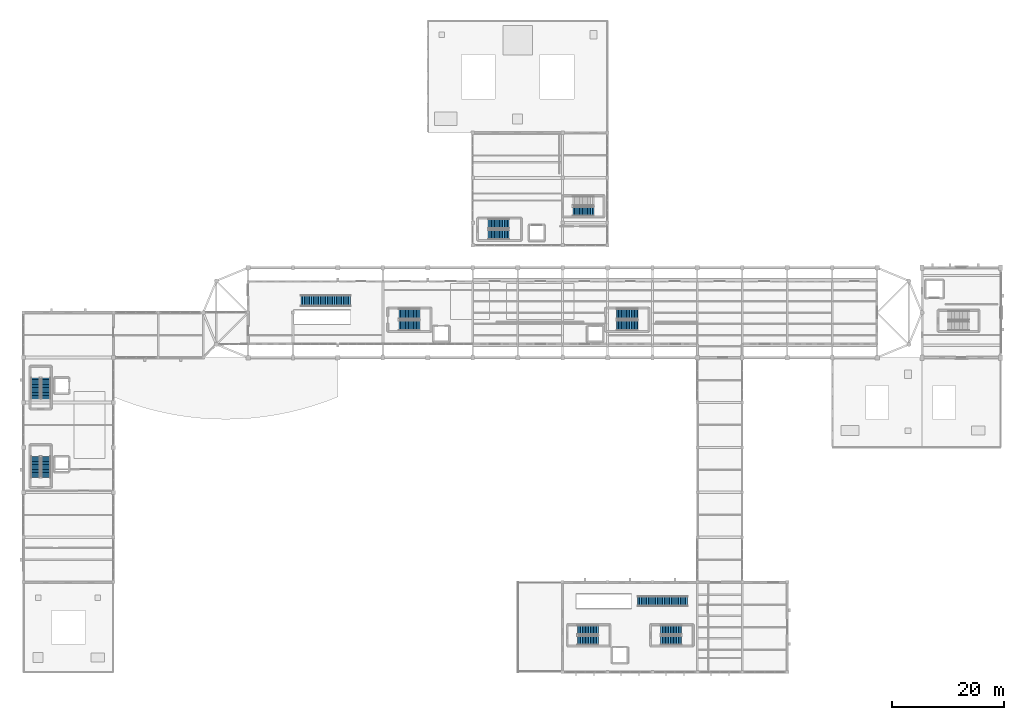
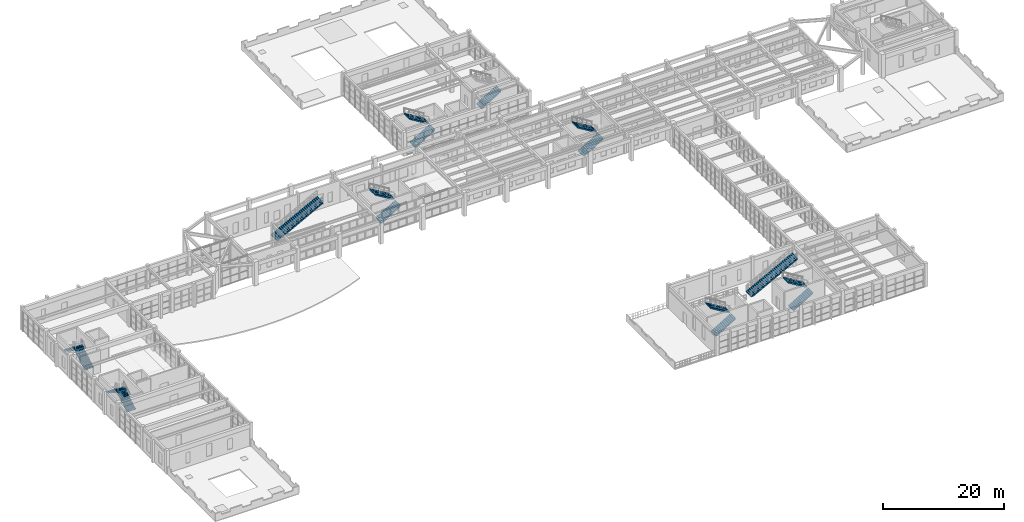
# One storey, part 48 of 59: 17 stair flights, 10 elements without a shape of their own.
"""IFC4 building model written with IfcOpenShell, lengths in metres."""

from ifc_helpers import new_model, si_unit, direction, frame, origin, place, context, subcontext, project, spatial, polyline, outline, extrude, material, type_object, element, aggregate, save


model = new_model("IFC4")

# Units and contexts
model_context = context("Model", 3, precision=1e-05, world=origin(), true_north=direction((0.0, 1.0)))
body_context = subcontext(model_context, "Body", "Model", "MODEL_VIEW")
ifc_project = project(units=[si_unit("LENGTHUNIT", "METRE"), si_unit("AREAUNIT", "SQUARE_METRE"), si_unit("VOLUMEUNIT", "CUBIC_METRE"), si_unit("PLANEANGLEUNIT", "RADIAN"), si_unit("MASSUNIT", "GRAM", prefix="KILO")], contexts=[model_context])

# Site, building, storey
site_placement = place(None, origin())
site = spatial("IfcSite", under=ifc_project, at=site_placement, CompositionType="ELEMENT")
building_placement = place(site_placement, origin())
building = spatial("IfcBuilding", under=site, at=building_placement, Name="Serraluz Foothill Cableway Terminal", CompositionType="ELEMENT")
storey_placement = place(building_placement, frame((0.0, 0.0, 4.800048828125)))
storey = spatial("IfcBuildingStorey", under=building, at=storey_placement, Name="L01", CompositionType="ELEMENT", Elevation=4.800048828125)

# Stair, stair flights
ifc_material_1 = material(Name="Concrete C35/45 (f'c 35 MPa)", Category="concrete")
stair_type_1 = type_object("IfcStairType", Name="TYP-ST-DOG-166-48", PredefinedType="HALF_TURN_STAIR", material=ifc_material_1)
stair_1_placement = place(storey_placement, origin())
stair_1 = element("IfcStair", 1, at=stair_1_placement, inside=storey, type_object=stair_type_1, Name="L01 ST-01", PredefinedType="HALF_TURN_STAIR")
stair_flight_type_1 = type_object("IfcStairFlightType", Name="TYP-FL-DOG-166-48", PredefinedType="STRAIGHT", material=ifc_material_1)
stair_flight_1_placement = place(storey_placement, frame((3.969970703125, 48.659912109375, 0.0), z_axis=(0.0, 0.0, 1.0), x_axis=(0.0, 1.0, 0.0)))
stair_flight_1 = element("IfcStairFlight", 2, at=stair_flight_1_placement, type_object=stair_flight_type_1, Name="ST-01 flight 1", NumberOfRisers=14, NumberOfTreads=13, PredefinedType="STRAIGHT", RiserHeight=0.171428571, TreadLength=0.285, context=body_context, shape_type="SweptSolid", body=[
    extrude(outline(polyline([(-0.02490234375, -0.06005859375), (-0.02490234375, 0.0), (0.0, 0.0), (0.0, 0.17138671875), (0.284912109375, 0.17138671875), (0.284912109375, 0.3427734375), (0.570068359375, 0.3427734375), (0.570068359375, 0.514404296875), (0.85498046875, 0.514404296875), (0.85498046875, 0.685791015625), (1.139892578125, 0.685791015625), (1.139892578125, 0.857177734375), (1.425048828125, 0.857177734375), (1.425048828125, 1.028564453125), (1.7099609375, 1.028564453125), (1.7099609375, 1.199951171875), (1.9951171875, 1.199951171875), (1.9951171875, 1.371337890625), (2.280029296875, 1.371337890625), (2.280029296875, 1.54296875), (2.56494140625, 1.54296875), (2.56494140625, 1.71435546875), (2.85009765625, 1.71435546875), (2.85009765625, 1.8857421875), (3.135009765625, 1.8857421875), (3.135009765625, 2.05712890625), (3.419921875, 2.05712890625), (3.419921875, 2.228515625), (3.705078125, 2.228515625), (3.705078125, 2.39990234375), (3.72998046875, 2.39990234375), (3.72998046875, 2.0537109375), (0.290771484375, -0.06005859375), (-0.02490234375, -0.06005859375)])), frame((0.0, 0.830078125, 0.0), z_axis=(0.0, -1.0, 0.0), x_axis=(1.0, 0.0, 0.0)), (0.0, 0.0, 1.0), 1.659912109375),
])
stair_flight_2_placement = place(storey_placement, frame((2.14990234375, 52.364990234375, 2.39990234375), z_axis=(0.0, 0.0, 1.0), x_axis=(0.0, -1.0, 0.0)))
stair_flight_2 = element("IfcStairFlight", 3, at=stair_flight_2_placement, type_object=stair_flight_type_1, Name="ST-01 flight 2", NumberOfRisers=14, NumberOfTreads=13, PredefinedType="STRAIGHT", RiserHeight=0.171428571, TreadLength=0.285, context=body_context, shape_type="SweptSolid", body=[
    extrude(outline(polyline([(-0.02490234375, -0.06005859375), (-0.02490234375, 0.0), (0.0, 0.0), (0.0, 0.17138671875), (0.284912109375, 0.17138671875), (0.284912109375, 0.3427734375), (0.570068359375, 0.3427734375), (0.570068359375, 0.514404296875), (0.85498046875, 0.514404296875), (0.85498046875, 0.685791015625), (1.139892578125, 0.685791015625), (1.139892578125, 0.857177734375), (1.425048828125, 0.857177734375), (1.425048828125, 1.028564453125), (1.7099609375, 1.028564453125), (1.7099609375, 1.199951171875), (1.9951171875, 1.199951171875), (1.9951171875, 1.371337890625), (2.280029296875, 1.371337890625), (2.280029296875, 1.54296875), (2.56494140625, 1.54296875), (2.56494140625, 1.71435546875), (2.85009765625, 1.71435546875), (2.85009765625, 1.8857421875), (3.135009765625, 1.8857421875), (3.135009765625, 2.05712890625), (3.419921875, 2.05712890625), (3.419921875, 2.228515625), (3.705078125, 2.228515625), (3.705078125, 2.39990234375), (3.72998046875, 2.39990234375), (3.72998046875, 2.0537109375), (0.290771484375, -0.06005859375), (-0.02490234375, -0.06005859375)])), frame((0.0, 0.830078125, 0.0), z_axis=(0.0, -1.0, 0.0), x_axis=(1.0, 0.0, 0.0)), (0.0, 0.0, 1.0), 1.659912109375),
])
aggregate(stair_1, [stair_flight_1, stair_flight_2])

stair_2_placement = place(storey_placement, origin())
stair_2 = element("IfcStair", 4, at=stair_2_placement, inside=storey, type_object=stair_type_1, Name="L01 ST-02", PredefinedType="HALF_TURN_STAIR")
stair_flight_3_placement = place(storey_placement, frame((3.969970703125, 34.659912109375, 0.0), z_axis=(0.0, 0.0, 1.0), x_axis=(0.0, 1.0, 0.0)))
stair_flight_3 = element("IfcStairFlight", 5, at=stair_flight_3_placement, type_object=stair_flight_type_1, Name="ST-02 flight 1", NumberOfRisers=14, NumberOfTreads=13, PredefinedType="STRAIGHT", RiserHeight=0.171428571, TreadLength=0.285, context=body_context, shape_type="SweptSolid", body=[
    extrude(outline(polyline([(-0.02490234375, -0.06005859375), (-0.02490234375, 0.0), (0.0, 0.0), (0.0, 0.17138671875), (0.284912109375, 0.17138671875), (0.284912109375, 0.3427734375), (0.570068359375, 0.3427734375), (0.570068359375, 0.514404296875), (0.85498046875, 0.514404296875), (0.85498046875, 0.685791015625), (1.139892578125, 0.685791015625), (1.139892578125, 0.857177734375), (1.425048828125, 0.857177734375), (1.425048828125, 1.028564453125), (1.7099609375, 1.028564453125), (1.7099609375, 1.199951171875), (1.9951171875, 1.199951171875), (1.9951171875, 1.371337890625), (2.280029296875, 1.371337890625), (2.280029296875, 1.54296875), (2.56494140625, 1.54296875), (2.56494140625, 1.71435546875), (2.85009765625, 1.71435546875), (2.85009765625, 1.8857421875), (3.135009765625, 1.8857421875), (3.135009765625, 2.05712890625), (3.419921875, 2.05712890625), (3.419921875, 2.228515625), (3.705078125, 2.228515625), (3.705078125, 2.39990234375), (3.72998046875, 2.39990234375), (3.72998046875, 2.0537109375), (0.290771484375, -0.06005859375), (-0.02490234375, -0.06005859375)])), frame((0.0, 0.830078125, 0.0), z_axis=(0.0, -1.0, 0.0), x_axis=(1.0, 0.0, 0.0)), (0.0, 0.0, 1.0), 1.659912109375),
])
stair_flight_4_placement = place(storey_placement, frame((2.14990234375, 38.364990234375, 2.39990234375), z_axis=(0.0, 0.0, 1.0), x_axis=(0.0, -1.0, 0.0)))
stair_flight_4 = element("IfcStairFlight", 6, at=stair_flight_4_placement, type_object=stair_flight_type_1, Name="ST-02 flight 2", NumberOfRisers=14, NumberOfTreads=13, PredefinedType="STRAIGHT", RiserHeight=0.171428571, TreadLength=0.285, context=body_context, shape_type="SweptSolid", body=[
    extrude(outline(polyline([(-0.02490234375, -0.06005859375), (-0.02490234375, 0.0), (0.0, 0.0), (0.0, 0.17138671875), (0.284912109375, 0.17138671875), (0.284912109375, 0.3427734375), (0.570068359375, 0.3427734375), (0.570068359375, 0.514404296875), (0.85498046875, 0.514404296875), (0.85498046875, 0.685791015625), (1.139892578125, 0.685791015625), (1.139892578125, 0.857177734375), (1.425048828125, 0.857177734375), (1.425048828125, 1.028564453125), (1.7099609375, 1.028564453125), (1.7099609375, 1.199951171875), (1.9951171875, 1.199951171875), (1.9951171875, 1.371337890625), (2.280029296875, 1.371337890625), (2.280029296875, 1.54296875), (2.56494140625, 1.54296875), (2.56494140625, 1.71435546875), (2.85009765625, 1.71435546875), (2.85009765625, 1.8857421875), (3.135009765625, 1.8857421875), (3.135009765625, 2.05712890625), (3.419921875, 2.05712890625), (3.419921875, 2.228515625), (3.705078125, 2.228515625), (3.705078125, 2.39990234375), (3.72998046875, 2.39990234375), (3.72998046875, 2.0537109375), (0.290771484375, -0.06005859375), (-0.02490234375, -0.06005859375)])), frame((0.0, 0.830078125, 0.0), z_axis=(0.0, -1.0, 0.0), x_axis=(1.0, 0.0, 0.0)), (0.0, 0.0, 1.0), 1.659912109375),
])
aggregate(stair_2, [stair_flight_3, stair_flight_4])

stair_3_placement = place(storey_placement, origin())
stair_3 = element("IfcStair", 7, at=stair_3_placement, inside=storey, type_object=stair_type_1, Name="L01 ST-06", PredefinedType="HALF_TURN_STAIR")
stair_flight_5_placement = place(storey_placement, frame((98.659912109375, 5.6298828125, 0.0), z_axis=(0.0, 0.0, 1.0), x_axis=(1.0, 0.0, 0.0)))
stair_flight_5 = element("IfcStairFlight", 8, at=stair_flight_5_placement, type_object=stair_flight_type_1, Name="ST-06 flight 1", NumberOfRisers=14, NumberOfTreads=13, PredefinedType="STRAIGHT", RiserHeight=0.171428571, TreadLength=0.285, context=body_context, shape_type="SweptSolid", body=[
    extrude(outline(polyline([(-0.02490234375, -0.06005859375), (-0.02490234375, 0.0), (0.0, 0.0), (0.0, 0.17138671875), (0.284912109375, 0.17138671875), (0.284912109375, 0.3427734375), (0.570068359375, 0.3427734375), (0.570068359375, 0.514404296875), (0.85498046875, 0.514404296875), (0.85498046875, 0.685791015625), (1.139892578125, 0.685791015625), (1.139892578125, 0.857177734375), (1.425048828125, 0.857177734375), (1.425048828125, 1.028564453125), (1.7099609375, 1.028564453125), (1.7099609375, 1.199951171875), (1.9951171875, 1.199951171875), (1.9951171875, 1.371337890625), (2.280029296875, 1.371337890625), (2.280029296875, 1.54296875), (2.56494140625, 1.54296875), (2.56494140625, 1.71435546875), (2.85009765625, 1.71435546875), (2.85009765625, 1.8857421875), (3.135009765625, 1.8857421875), (3.135009765625, 2.05712890625), (3.419921875, 2.05712890625), (3.419921875, 2.228515625), (3.705078125, 2.228515625), (3.705078125, 2.39990234375), (3.72998046875, 2.39990234375), (3.72998046875, 2.0537109375), (0.290771484375, -0.06005859375), (-0.02490234375, -0.06005859375)])), frame((0.0, 0.830078125, 0.0), z_axis=(0.0, -1.0, 0.0), x_axis=(1.0, 0.0, 0.0)), (0.0, 0.0, 1.0), 1.659912109375),
])
stair_flight_6_placement = place(storey_placement, frame((102.364990234375, 7.449951171875, 2.39990234375), z_axis=(0.0, 0.0, 1.0), x_axis=(-1.0, 0.0, 0.0)))
stair_flight_6 = element("IfcStairFlight", 9, at=stair_flight_6_placement, type_object=stair_flight_type_1, Name="ST-06 flight 2", NumberOfRisers=14, NumberOfTreads=13, PredefinedType="STRAIGHT", RiserHeight=0.171428571, TreadLength=0.285, context=body_context, shape_type="SweptSolid", body=[
    extrude(outline(polyline([(-0.02490234375, -0.06005859375), (-0.02490234375, 0.0), (0.0, 0.0), (0.0, 0.17138671875), (0.284912109375, 0.17138671875), (0.284912109375, 0.3427734375), (0.570068359375, 0.3427734375), (0.570068359375, 0.514404296875), (0.85498046875, 0.514404296875), (0.85498046875, 0.685791015625), (1.139892578125, 0.685791015625), (1.139892578125, 0.857177734375), (1.425048828125, 0.857177734375), (1.425048828125, 1.028564453125), (1.7099609375, 1.028564453125), (1.7099609375, 1.199951171875), (1.9951171875, 1.199951171875), (1.9951171875, 1.371337890625), (2.280029296875, 1.371337890625), (2.280029296875, 1.54296875), (2.56494140625, 1.54296875), (2.56494140625, 1.71435546875), (2.85009765625, 1.71435546875), (2.85009765625, 1.8857421875), (3.135009765625, 1.8857421875), (3.135009765625, 2.05712890625), (3.419921875, 2.05712890625), (3.419921875, 2.228515625), (3.705078125, 2.228515625), (3.705078125, 2.39990234375), (3.72998046875, 2.39990234375), (3.72998046875, 2.0537109375), (0.290771484375, -0.06005859375), (-0.02490234375, -0.06005859375)])), frame((0.0, 0.830078125, 0.0), z_axis=(0.0, -1.0, 0.0), x_axis=(1.0, 0.0, 0.0)), (0.0, 0.0, 1.0), 1.659912109375),
])
aggregate(stair_3, [stair_flight_5, stair_flight_6])

stair_4_placement = place(storey_placement, origin())
stair_4 = element("IfcStair", 10, at=stair_4_placement, inside=storey, type_object=stair_type_1, Name="L01 ST-07", PredefinedType="HALF_TURN_STAIR")
stair_flight_7_placement = place(storey_placement, frame((113.4599609375, 5.6298828125, 0.0), z_axis=(0.0, 0.0, 1.0), x_axis=(1.0, 0.0, 0.0)))
stair_flight_7 = element("IfcStairFlight", 11, at=stair_flight_7_placement, type_object=stair_flight_type_1, Name="ST-07 flight 1", NumberOfRisers=14, NumberOfTreads=13, PredefinedType="STRAIGHT", RiserHeight=0.171428571, TreadLength=0.285, context=body_context, shape_type="SweptSolid", body=[
    extrude(outline(polyline([(-0.02490234375, -0.06005859375), (-0.02490234375, 0.0), (0.0, 0.0), (0.0, 0.17138671875), (0.284912109375, 0.17138671875), (0.284912109375, 0.3427734375), (0.570068359375, 0.3427734375), (0.570068359375, 0.514404296875), (0.85498046875, 0.514404296875), (0.85498046875, 0.685791015625), (1.139892578125, 0.685791015625), (1.139892578125, 0.857177734375), (1.425048828125, 0.857177734375), (1.425048828125, 1.028564453125), (1.7099609375, 1.028564453125), (1.7099609375, 1.199951171875), (1.9951171875, 1.199951171875), (1.9951171875, 1.371337890625), (2.280029296875, 1.371337890625), (2.280029296875, 1.54296875), (2.56494140625, 1.54296875), (2.56494140625, 1.71435546875), (2.85009765625, 1.71435546875), (2.85009765625, 1.8857421875), (3.135009765625, 1.8857421875), (3.135009765625, 2.05712890625), (3.419921875, 2.05712890625), (3.419921875, 2.228515625), (3.705078125, 2.228515625), (3.705078125, 2.39990234375), (3.72998046875, 2.39990234375), (3.72998046875, 2.0537109375), (0.290771484375, -0.06005859375), (-0.02490234375, -0.06005859375)])), frame((0.0, 0.830078125, 0.0), z_axis=(0.0, -1.0, 0.0), x_axis=(1.0, 0.0, 0.0)), (0.0, 0.0, 1.0), 1.659912109375),
])
stair_flight_8_placement = place(storey_placement, frame((117.1650390625, 7.449951171875, 2.39990234375), z_axis=(0.0, 0.0, 1.0), x_axis=(-1.0, 0.0, 0.0)))
stair_flight_8 = element("IfcStairFlight", 12, at=stair_flight_8_placement, type_object=stair_flight_type_1, Name="ST-07 flight 2", NumberOfRisers=14, NumberOfTreads=13, PredefinedType="STRAIGHT", RiserHeight=0.171428571, TreadLength=0.285, context=body_context, shape_type="SweptSolid", body=[
    extrude(outline(polyline([(-0.02490234375, -0.06005859375), (-0.02490234375, 0.0), (0.0, 0.0), (0.0, 0.17138671875), (0.284912109375, 0.17138671875), (0.284912109375, 0.3427734375), (0.570068359375, 0.3427734375), (0.570068359375, 0.514404296875), (0.85498046875, 0.514404296875), (0.85498046875, 0.685791015625), (1.139892578125, 0.685791015625), (1.139892578125, 0.857177734375), (1.425048828125, 0.857177734375), (1.425048828125, 1.028564453125), (1.7099609375, 1.028564453125), (1.7099609375, 1.199951171875), (1.9951171875, 1.199951171875), (1.9951171875, 1.371337890625), (2.280029296875, 1.371337890625), (2.280029296875, 1.54296875), (2.56494140625, 1.54296875), (2.56494140625, 1.71435546875), (2.85009765625, 1.71435546875), (2.85009765625, 1.8857421875), (3.135009765625, 1.8857421875), (3.135009765625, 2.05712890625), (3.419921875, 2.05712890625), (3.419921875, 2.228515625), (3.705078125, 2.228515625), (3.705078125, 2.39990234375), (3.72998046875, 2.39990234375), (3.72998046875, 2.0537109375), (0.290771484375, -0.06005859375), (-0.02490234375, -0.06005859375)])), frame((0.0, 0.830078125, 0.0), z_axis=(0.0, -1.0, 0.0), x_axis=(1.0, 0.0, 0.0)), (0.0, 0.0, 1.0), 1.659912109375),
])
aggregate(stair_4, [stair_flight_7, stair_flight_8])

# Stair, stair flight
stair_5_placement = place(storey_placement, origin())
stair_5 = element("IfcStair", 13, at=stair_5_placement, inside=storey, type_object=stair_type_1, Name="L01 ST-09", PredefinedType="HALF_TURN_STAIR")
stair_flight_9_placement = place(storey_placement, frame((97.860107421875, 82.030029296875, 0.0), z_axis=(0.0, 0.0, 1.0), x_axis=(1.0, 0.0, 0.0)))
stair_flight_9 = element("IfcStairFlight", 14, at=stair_flight_9_placement, type_object=stair_flight_type_1, Name="ST-09 flight 1", NumberOfRisers=14, NumberOfTreads=13, PredefinedType="STRAIGHT", RiserHeight=0.171428571, TreadLength=0.285, context=body_context, shape_type="SweptSolid", body=[
    extrude(outline(polyline([(-0.02490234375, -0.06005859375), (-0.02490234375, 0.0), (0.0, 0.0), (0.0, 0.17138671875), (0.284912109375, 0.17138671875), (0.284912109375, 0.3427734375), (0.570068359375, 0.3427734375), (0.570068359375, 0.514404296875), (0.85498046875, 0.514404296875), (0.85498046875, 0.685791015625), (1.139892578125, 0.685791015625), (1.139892578125, 0.857177734375), (1.425048828125, 0.857177734375), (1.425048828125, 1.028564453125), (1.7099609375, 1.028564453125), (1.7099609375, 1.199951171875), (1.9951171875, 1.199951171875), (1.9951171875, 1.371337890625), (2.280029296875, 1.371337890625), (2.280029296875, 1.54296875), (2.56494140625, 1.54296875), (2.56494140625, 1.71435546875), (2.85009765625, 1.71435546875), (2.85009765625, 1.8857421875), (3.135009765625, 1.8857421875), (3.135009765625, 2.05712890625), (3.419921875, 2.05712890625), (3.419921875, 2.228515625), (3.705078125, 2.228515625), (3.705078125, 2.39990234375), (3.72998046875, 2.39990234375), (3.72998046875, 2.0537109375), (0.290771484375, -0.06005859375), (-0.02490234375, -0.06005859375)])), frame((0.0, 0.830078125, 0.0), z_axis=(0.0, -1.0, 0.0), x_axis=(1.0, 0.0, 0.0)), (0.0, 0.0, 1.0), 1.659912109375),
])
aggregate(stair_5, [stair_flight_9])

# Stair, stair flights
stair_type_2 = type_object("IfcStairType", Name="TYP-ST-DOG-176-48", PredefinedType="HALF_TURN_STAIR", material=ifc_material_1)
stair_6_placement = place(storey_placement, origin())
stair_6 = element("IfcStair", 15, at=stair_6_placement, inside=storey, type_object=stair_type_2, Name="L01 ST-08", PredefinedType="HALF_TURN_STAIR")
stair_flight_type_2 = type_object("IfcStairFlightType", Name="TYP-FL-DOG-176-48", PredefinedType="STRAIGHT", material=ifc_material_1)
stair_flight_10_placement = place(storey_placement, frame((82.760009765625, 77.8798828125, 0.0), z_axis=(0.0, 0.0, 1.0), x_axis=(1.0, 0.0, 0.0)))
stair_flight_10 = element("IfcStairFlight", 16, at=stair_flight_10_placement, type_object=stair_flight_type_2, Name="ST-08 flight 1", NumberOfRisers=14, NumberOfTreads=13, PredefinedType="STRAIGHT", RiserHeight=0.171428571, TreadLength=0.285, context=body_context, shape_type="SweptSolid", body=[
    extrude(outline(polyline([(-0.02490234375, -0.06005859375), (-0.02490234375, 0.0), (0.0, 0.0), (0.0, 0.17138671875), (0.284912109375, 0.17138671875), (0.284912109375, 0.3427734375), (0.570068359375, 0.3427734375), (0.570068359375, 0.514404296875), (0.85498046875, 0.514404296875), (0.85498046875, 0.685791015625), (1.139892578125, 0.685791015625), (1.139892578125, 0.857177734375), (1.425048828125, 0.857177734375), (1.425048828125, 1.028564453125), (1.7099609375, 1.028564453125), (1.7099609375, 1.199951171875), (1.9951171875, 1.199951171875), (1.9951171875, 1.371337890625), (2.280029296875, 1.371337890625), (2.280029296875, 1.54296875), (2.56494140625, 1.54296875), (2.56494140625, 1.71435546875), (2.85009765625, 1.71435546875), (2.85009765625, 1.8857421875), (3.135009765625, 1.8857421875), (3.135009765625, 2.05712890625), (3.419921875, 2.05712890625), (3.419921875, 2.228515625), (3.705078125, 2.228515625), (3.705078125, 2.39990234375), (3.72998046875, 2.39990234375), (3.72998046875, 2.0537109375), (0.290771484375, -0.06005859375), (-0.02490234375, -0.06005859375)])), frame((0.0, 0.8798828125, 0.0), z_axis=(0.0, -1.0, 0.0), x_axis=(1.0, 0.0, 0.0)), (0.0, 0.0, 1.0), 1.760009765625),
])
stair_flight_11_placement = place(storey_placement, frame((86.465087890625, 79.800048828125, 2.39990234375), z_axis=(0.0, 0.0, 1.0), x_axis=(-1.0, 0.0, 0.0)))
stair_flight_11 = element("IfcStairFlight", 17, at=stair_flight_11_placement, type_object=stair_flight_type_2, Name="ST-08 flight 2", NumberOfRisers=14, NumberOfTreads=13, PredefinedType="STRAIGHT", RiserHeight=0.171428571, TreadLength=0.285, context=body_context, shape_type="SweptSolid", body=[
    extrude(outline(polyline([(-0.02490234375, -0.06005859375), (-0.02490234375, 0.0), (0.0, 0.0), (0.0, 0.17138671875), (0.284912109375, 0.17138671875), (0.284912109375, 0.3427734375), (0.570068359375, 0.3427734375), (0.570068359375, 0.514404296875), (0.85498046875, 0.514404296875), (0.85498046875, 0.685791015625), (1.139892578125, 0.685791015625), (1.139892578125, 0.857177734375), (1.425048828125, 0.857177734375), (1.425048828125, 1.028564453125), (1.7099609375, 1.028564453125), (1.7099609375, 1.199951171875), (1.9951171875, 1.199951171875), (1.9951171875, 1.371337890625), (2.280029296875, 1.371337890625), (2.280029296875, 1.54296875), (2.56494140625, 1.54296875), (2.56494140625, 1.71435546875), (2.85009765625, 1.71435546875), (2.85009765625, 1.8857421875), (3.135009765625, 1.8857421875), (3.135009765625, 2.05712890625), (3.419921875, 2.05712890625), (3.419921875, 2.228515625), (3.705078125, 2.228515625), (3.705078125, 2.39990234375), (3.72998046875, 2.39990234375), (3.72998046875, 2.0537109375), (0.290771484375, -0.06005859375), (-0.02490234375, -0.06005859375)])), frame((0.0, 0.8798828125, 0.0), z_axis=(0.0, -1.0, 0.0), x_axis=(1.0, 0.0, 0.0)), (0.0, 0.0, 1.0), 1.760009765625),
])
aggregate(stair_6, [stair_flight_10, stair_flight_11])

stair_type_3 = type_object("IfcStairType", Name="TYP-ST-DOG-186-48", PredefinedType="HALF_TURN_STAIR", material=ifc_material_1)
stair_7_placement = place(storey_placement, origin())
stair_7 = element("IfcStair", 18, at=stair_7_placement, inside=storey, type_object=stair_type_3, Name="L01 ST-03", PredefinedType="HALF_TURN_STAIR")
stair_flight_type_3 = type_object("IfcStairFlightType", Name="TYP-FL-DOG-186-48", PredefinedType="STRAIGHT", material=ifc_material_1)
stair_flight_12_placement = place(storey_placement, frame((66.860107421875, 61.72998046875, 0.0), z_axis=(0.0, 0.0, 1.0), x_axis=(1.0, 0.0, 0.0)))
stair_flight_12 = element("IfcStairFlight", 19, at=stair_flight_12_placement, type_object=stair_flight_type_3, Name="ST-03 flight 1", NumberOfRisers=14, NumberOfTreads=13, PredefinedType="STRAIGHT", RiserHeight=0.171428571, TreadLength=0.285, context=body_context, shape_type="SweptSolid", body=[
    extrude(outline(polyline([(-0.02490234375, -0.06005859375), (-0.02490234375, 0.0), (0.0, 0.0), (0.0, 0.17138671875), (0.284912109375, 0.17138671875), (0.284912109375, 0.3427734375), (0.570068359375, 0.3427734375), (0.570068359375, 0.514404296875), (0.85498046875, 0.514404296875), (0.85498046875, 0.685791015625), (1.139892578125, 0.685791015625), (1.139892578125, 0.857177734375), (1.425048828125, 0.857177734375), (1.425048828125, 1.028564453125), (1.7099609375, 1.028564453125), (1.7099609375, 1.199951171875), (1.9951171875, 1.199951171875), (1.9951171875, 1.371337890625), (2.280029296875, 1.371337890625), (2.280029296875, 1.54296875), (2.56494140625, 1.54296875), (2.56494140625, 1.71435546875), (2.85009765625, 1.71435546875), (2.85009765625, 1.8857421875), (3.135009765625, 1.8857421875), (3.135009765625, 2.05712890625), (3.419921875, 2.05712890625), (3.419921875, 2.228515625), (3.705078125, 2.228515625), (3.705078125, 2.39990234375), (3.72998046875, 2.39990234375), (3.72998046875, 2.0537109375), (0.290771484375, -0.06005859375), (-0.02490234375, -0.06005859375)])), frame((0.0, 0.93017578125, 0.0), z_axis=(0.0, -1.0, 0.0), x_axis=(1.0, 0.0, 0.0)), (0.0, 0.0, 1.0), 1.860107421875),
])
stair_flight_13_placement = place(storey_placement, frame((70.56494140625, 63.75, 2.39990234375), z_axis=(0.0, 0.0, 1.0), x_axis=(-1.0, 0.0, 0.0)))
stair_flight_13 = element("IfcStairFlight", 20, at=stair_flight_13_placement, type_object=stair_flight_type_3, Name="ST-03 flight 2", NumberOfRisers=14, NumberOfTreads=13, PredefinedType="STRAIGHT", RiserHeight=0.171428571, TreadLength=0.285, context=body_context, shape_type="SweptSolid", body=[
    extrude(outline(polyline([(-0.02490234375, -0.06005859375), (-0.02490234375, 0.0), (0.0, 0.0), (0.0, 0.17138671875), (0.284912109375, 0.17138671875), (0.284912109375, 0.3427734375), (0.570068359375, 0.3427734375), (0.570068359375, 0.514404296875), (0.85498046875, 0.514404296875), (0.85498046875, 0.685791015625), (1.139892578125, 0.685791015625), (1.139892578125, 0.857177734375), (1.425048828125, 0.857177734375), (1.425048828125, 1.028564453125), (1.7099609375, 1.028564453125), (1.7099609375, 1.199951171875), (1.9951171875, 1.199951171875), (1.9951171875, 1.371337890625), (2.280029296875, 1.371337890625), (2.280029296875, 1.54296875), (2.56494140625, 1.54296875), (2.56494140625, 1.71435546875), (2.85009765625, 1.71435546875), (2.85009765625, 1.8857421875), (3.135009765625, 1.8857421875), (3.135009765625, 2.05712890625), (3.419921875, 2.05712890625), (3.419921875, 2.228515625), (3.705078125, 2.228515625), (3.705078125, 2.39990234375), (3.72998046875, 2.39990234375), (3.72998046875, 2.0537109375), (0.290771484375, -0.06005859375), (-0.02490234375, -0.06005859375)])), frame((0.0, 0.93017578125, 0.0), z_axis=(0.0, -1.0, 0.0), x_axis=(1.0, 0.0, 0.0)), (0.0, 0.0, 1.0), 1.860107421875),
])
aggregate(stair_7, [stair_flight_12, stair_flight_13])

stair_8_placement = place(storey_placement, origin())
stair_8 = element("IfcStair", 21, at=stair_8_placement, inside=storey, type_object=stair_type_3, Name="L01 ST-04", PredefinedType="HALF_TURN_STAIR")
stair_flight_14_placement = place(storey_placement, frame((105.659912109375, 61.72998046875, 0.0), z_axis=(0.0, 0.0, 1.0), x_axis=(1.0, 0.0, 0.0)))
stair_flight_14 = element("IfcStairFlight", 22, at=stair_flight_14_placement, type_object=stair_flight_type_3, Name="ST-04 flight 1", NumberOfRisers=14, NumberOfTreads=13, PredefinedType="STRAIGHT", RiserHeight=0.171428571, TreadLength=0.285, context=body_context, shape_type="SweptSolid", body=[
    extrude(outline(polyline([(-0.02490234375, -0.06005859375), (-0.02490234375, 0.0), (0.0, 0.0), (0.0, 0.17138671875), (0.284912109375, 0.17138671875), (0.284912109375, 0.3427734375), (0.570068359375, 0.3427734375), (0.570068359375, 0.514404296875), (0.85498046875, 0.514404296875), (0.85498046875, 0.685791015625), (1.139892578125, 0.685791015625), (1.139892578125, 0.857177734375), (1.425048828125, 0.857177734375), (1.425048828125, 1.028564453125), (1.7099609375, 1.028564453125), (1.7099609375, 1.199951171875), (1.9951171875, 1.199951171875), (1.9951171875, 1.371337890625), (2.280029296875, 1.371337890625), (2.280029296875, 1.54296875), (2.56494140625, 1.54296875), (2.56494140625, 1.71435546875), (2.85009765625, 1.71435546875), (2.85009765625, 1.8857421875), (3.135009765625, 1.8857421875), (3.135009765625, 2.05712890625), (3.419921875, 2.05712890625), (3.419921875, 2.228515625), (3.705078125, 2.228515625), (3.705078125, 2.39990234375), (3.72998046875, 2.39990234375), (3.72998046875, 2.0537109375), (0.290771484375, -0.06005859375), (-0.02490234375, -0.06005859375)])), frame((0.0, 0.93017578125, 0.0), z_axis=(0.0, -1.0, 0.0), x_axis=(1.0, 0.0, 0.0)), (0.0, 0.0, 1.0), 1.860107421875),
])
stair_flight_15_placement = place(storey_placement, frame((109.364990234375, 63.75, 2.39990234375), z_axis=(0.0, 0.0, 1.0), x_axis=(-1.0, 0.0, 0.0)))
stair_flight_15 = element("IfcStairFlight", 23, at=stair_flight_15_placement, type_object=stair_flight_type_3, Name="ST-04 flight 2", NumberOfRisers=14, NumberOfTreads=13, PredefinedType="STRAIGHT", RiserHeight=0.171428571, TreadLength=0.285, context=body_context, shape_type="SweptSolid", body=[
    extrude(outline(polyline([(-0.02490234375, -0.06005859375), (-0.02490234375, 0.0), (0.0, 0.0), (0.0, 0.17138671875), (0.284912109375, 0.17138671875), (0.284912109375, 0.3427734375), (0.570068359375, 0.3427734375), (0.570068359375, 0.514404296875), (0.85498046875, 0.514404296875), (0.85498046875, 0.685791015625), (1.139892578125, 0.685791015625), (1.139892578125, 0.857177734375), (1.425048828125, 0.857177734375), (1.425048828125, 1.028564453125), (1.7099609375, 1.028564453125), (1.7099609375, 1.199951171875), (1.9951171875, 1.199951171875), (1.9951171875, 1.371337890625), (2.280029296875, 1.371337890625), (2.280029296875, 1.54296875), (2.56494140625, 1.54296875), (2.56494140625, 1.71435546875), (2.85009765625, 1.71435546875), (2.85009765625, 1.8857421875), (3.135009765625, 1.8857421875), (3.135009765625, 2.05712890625), (3.419921875, 2.05712890625), (3.419921875, 2.228515625), (3.705078125, 2.228515625), (3.705078125, 2.39990234375), (3.72998046875, 2.39990234375), (3.72998046875, 2.0537109375), (0.290771484375, -0.06005859375), (-0.02490234375, -0.06005859375)])), frame((0.0, 0.93017578125, 0.0), z_axis=(0.0, -1.0, 0.0), x_axis=(1.0, 0.0, 0.0)), (0.0, 0.0, 1.0), 1.860107421875),
])
aggregate(stair_8, [stair_flight_14, stair_flight_15])

# Stair, stair flight
ifc_material_2 = material(Name="Steel ASTM A992 Grade 50", Category="steel")
stair_type_4 = type_object("IfcStairType", Name="TYP-ST-STR-180", PredefinedType="STRAIGHT_RUN_STAIR", material=ifc_material_2)
stair_9_placement = place(storey_placement, origin())
stair_9 = element("IfcStair", 24, at=stair_9_placement, inside=storey, type_object=stair_type_4, Name="Feature Straight Stair ST-F05", PredefinedType="STRAIGHT_RUN_STAIR")
stair_flight_type_4 = type_object("IfcStairFlightType", Name="TYP-FL-STR-180", PredefinedType="STRAIGHT", material=ifc_material_2)
stair_flight_16_placement = place(storey_placement, frame((109.39990234375, 12.60009765625, 0.0), z_axis=(0.0, 0.0, 1.0), x_axis=(1.0, 0.0, 0.0)))
stair_flight_16 = element("IfcStairFlight", 25, at=stair_flight_16_placement, type_object=stair_flight_type_4, Name="STS-180 flight 1", NumberOfRisers=29, NumberOfTreads=28, PredefinedType="STRAIGHT", RiserHeight=0.165517, TreadLength=0.315, context=body_context, shape_type="SweptSolid", body=[
    extrude(outline(polyline([(-0.02490234375, -0.06005859375), (-0.02490234375, 0.0), (0.0, 0.0), (0.0, 0.16552734375), (0.31494140625, 0.16552734375), (0.31494140625, 0.3310546875), (0.6298828125, 0.3310546875), (0.6298828125, 0.49658203125), (0.945068359375, 0.49658203125), (0.945068359375, 0.662109375), (1.260009765625, 0.662109375), (1.260009765625, 0.82763671875), (1.574951171875, 0.82763671875), (1.574951171875, 0.9931640625), (1.889892578125, 0.9931640625), (1.889892578125, 1.15869140625), (2.205078125, 1.15869140625), (2.205078125, 1.32421875), (2.52001953125, 1.32421875), (2.52001953125, 1.48974609375), (2.8349609375, 1.48974609375), (2.8349609375, 1.6552734375), (3.14990234375, 1.6552734375), (3.14990234375, 1.82080078125), (3.465087890625, 1.82080078125), (3.465087890625, 1.986083984375), (3.780029296875, 1.986083984375), (3.780029296875, 2.151611328125), (4.094970703125, 2.151611328125), (4.094970703125, 2.317138671875), (4.409912109375, 2.317138671875), (4.409912109375, 2.482666015625), (4.72509765625, 2.482666015625), (4.72509765625, 2.648193359375), (5.0400390625, 2.648193359375), (5.0400390625, 2.813720703125), (5.35498046875, 2.813720703125), (5.35498046875, 2.979248046875), (5.669921875, 2.979248046875), (5.669921875, 3.144775390625), (5.985107421875, 3.144775390625), (5.985107421875, 3.310302734375), (6.300048828125, 3.310302734375), (6.300048828125, 3.475830078125), (6.614990234375, 3.475830078125), (6.614990234375, 3.641357421875), (6.929931640625, 3.641357421875), (6.929931640625, 3.806884765625), (7.2451171875, 3.806884765625), (7.2451171875, 3.972412109375), (7.56005859375, 3.972412109375), (7.56005859375, 4.137939453125), (7.875, 4.137939453125), (7.875, 4.303466796875), (8.18994140625, 4.303466796875), (8.18994140625, 4.468994140625), (8.5048828125, 4.468994140625), (8.5048828125, 4.634521484375), (8.820068359375, 4.634521484375), (8.820068359375, 4.800048828125), (8.844970703125, 4.800048828125), (8.844970703125, 4.447998046875), (0.354736328125, -0.06005859375), (-0.02490234375, -0.06005859375)])), frame((0.0, 0.89990234375, 0.0), z_axis=(0.0, -1.0, 0.0), x_axis=(1.0, 0.0, 0.0)), (0.0, 0.0, 1.0), 1.800048828125),
])
aggregate(stair_9, [stair_flight_16])

stair_type_5 = type_object("IfcStairType", Name="TYP-ST-STR-200", PredefinedType="STRAIGHT_RUN_STAIR", material=ifc_material_2)
stair_10_placement = place(storey_placement, origin())
stair_10 = element("IfcStair", 26, at=stair_10_placement, inside=storey, type_object=stair_type_5, Name="Feature Straight Stair ST-F02", PredefinedType="STRAIGHT_RUN_STAIR")
stair_flight_type_5 = type_object("IfcStairFlightType", Name="TYP-FL-STR-200", PredefinedType="STRAIGHT", material=ifc_material_2)
stair_flight_17_placement = place(storey_placement, frame((49.39990234375, 66.10009765625, 0.0), z_axis=(0.0, 0.0, 1.0), x_axis=(1.0, 0.0, 0.0)))
stair_flight_17 = element("IfcStairFlight", 27, at=stair_flight_17_placement, type_object=stair_flight_type_5, Name="STS-200 flight 1", NumberOfRisers=29, NumberOfTreads=28, PredefinedType="STRAIGHT", RiserHeight=0.165517, TreadLength=0.315, context=body_context, shape_type="SweptSolid", body=[
    extrude(outline(polyline([(-0.02490234375, -0.06005859375), (-0.02490234375, 0.0), (0.0, 0.0), (0.0, 0.16552734375), (0.31494140625, 0.16552734375), (0.31494140625, 0.3310546875), (0.6298828125, 0.3310546875), (0.6298828125, 0.49658203125), (0.945068359375, 0.49658203125), (0.945068359375, 0.662109375), (1.260009765625, 0.662109375), (1.260009765625, 0.82763671875), (1.574951171875, 0.82763671875), (1.574951171875, 0.9931640625), (1.889892578125, 0.9931640625), (1.889892578125, 1.15869140625), (2.205078125, 1.15869140625), (2.205078125, 1.32421875), (2.52001953125, 1.32421875), (2.52001953125, 1.48974609375), (2.8349609375, 1.48974609375), (2.8349609375, 1.6552734375), (3.14990234375, 1.6552734375), (3.14990234375, 1.82080078125), (3.465087890625, 1.82080078125), (3.465087890625, 1.986083984375), (3.780029296875, 1.986083984375), (3.780029296875, 2.151611328125), (4.094970703125, 2.151611328125), (4.094970703125, 2.317138671875), (4.409912109375, 2.317138671875), (4.409912109375, 2.482666015625), (4.72509765625, 2.482666015625), (4.72509765625, 2.648193359375), (5.0400390625, 2.648193359375), (5.0400390625, 2.813720703125), (5.35498046875, 2.813720703125), (5.35498046875, 2.979248046875), (5.669921875, 2.979248046875), (5.669921875, 3.144775390625), (5.985107421875, 3.144775390625), (5.985107421875, 3.310302734375), (6.300048828125, 3.310302734375), (6.300048828125, 3.475830078125), (6.614990234375, 3.475830078125), (6.614990234375, 3.641357421875), (6.929931640625, 3.641357421875), (6.929931640625, 3.806884765625), (7.2451171875, 3.806884765625), (7.2451171875, 3.972412109375), (7.56005859375, 3.972412109375), (7.56005859375, 4.137939453125), (7.875, 4.137939453125), (7.875, 4.303466796875), (8.18994140625, 4.303466796875), (8.18994140625, 4.468994140625), (8.5048828125, 4.468994140625), (8.5048828125, 4.634521484375), (8.820068359375, 4.634521484375), (8.820068359375, 4.800048828125), (8.844970703125, 4.800048828125), (8.844970703125, 4.447998046875), (0.354736328125, -0.06005859375), (-0.02490234375, -0.06005859375)])), frame((0.0, 1.0, 0.0), z_axis=(0.0, -1.0, 0.0), x_axis=(1.0, 0.0, 0.0)), (0.0, 0.0, 1.0), 2.0),
])
aggregate(stair_10, [stair_flight_17])

save(model, "model.ifc")
